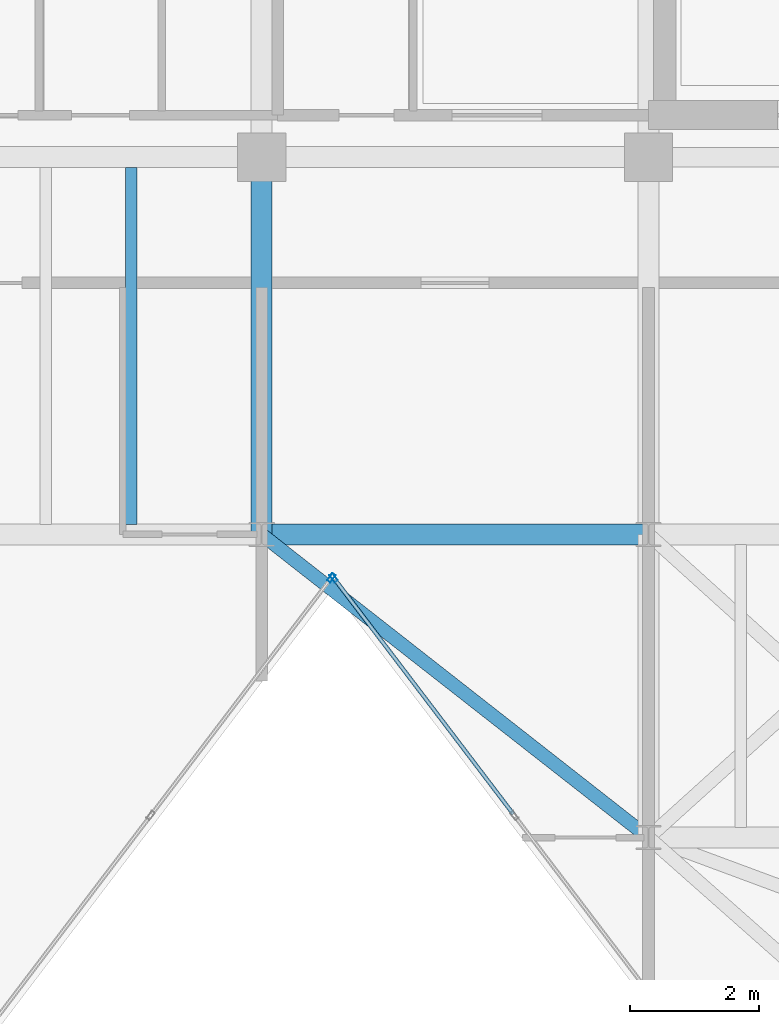
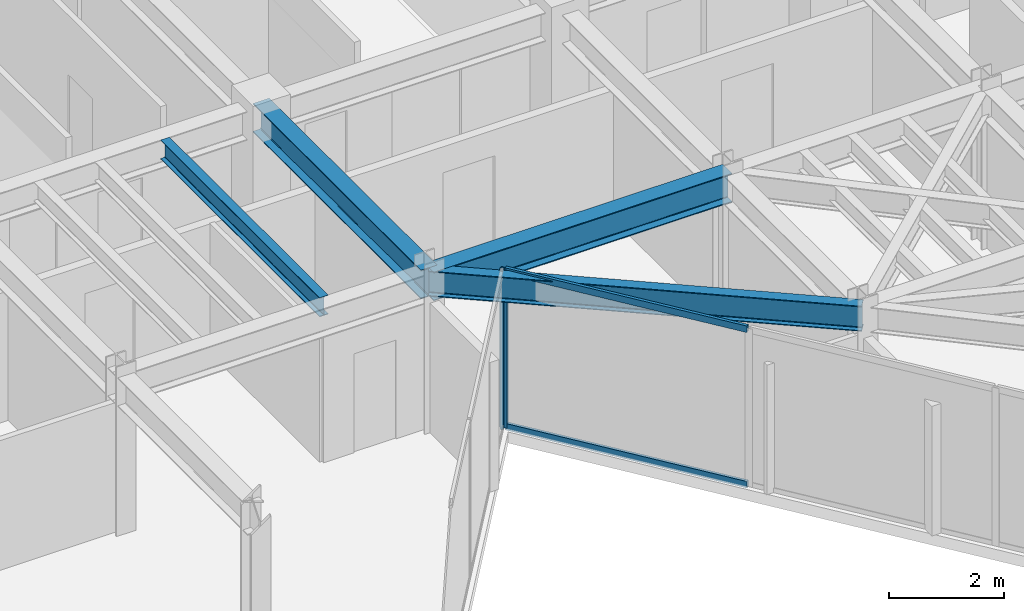
# One storey, part 6 of 16: 4 beams, 4 members, 2 elements without a shape of their own.
"""IFC4 building model written with IfcOpenShell, lengths in metres."""

from ifc_helpers import new_model, si_unit, direction, frame, origin, origin_2d, place, context, subcontext, project, spatial, hollow_rectangle, i_section, extrude, material, layer, layer_set, material_profile, profile_set, type_object, element, aggregate, save


model = new_model("IFC4")

# Units and contexts
model_context = context("Model", 3, precision=1e-05, world=origin(), true_north=direction((0.0, 1.0)))
body_context = subcontext(model_context, "Body", "Model", "MODEL_VIEW")
ifc_project = project(units=[si_unit("LENGTHUNIT", "METRE"), si_unit("AREAUNIT", "SQUARE_METRE"), si_unit("VOLUMEUNIT", "CUBIC_METRE"), si_unit("PLANEANGLEUNIT", "RADIAN"), si_unit("MASSUNIT", "GRAM", prefix="KILO")], contexts=[model_context])

# Site, building, storey
site_placement = place(None, origin())
site = spatial("IfcSite", under=ifc_project, at=site_placement, CompositionType="ELEMENT")
building_placement = place(site_placement, origin())
building = spatial("IfcBuilding", under=site, at=building_placement, Name="Kravanh Interchange Tower", CompositionType="ELEMENT")
storey_placement = place(building_placement, frame((0.0, 0.0, 300.300048828125)))
storey = spatial("IfcBuildingStorey", under=building, at=storey_placement, Name="L74", CompositionType="ELEMENT", Elevation=300.300048828125)

# Curtain wall, member
ifc_material_1 = material(Name="Anodised Bronze Aluminium", Category="aluminium")
ifc_layer = layer(ifc_material_1, 0.179931640625)
ifc_layer_set = layer_set([ifc_layer], Name="Unitised Curtain Wall System CW-HTL Luxury Hotel")
curtain_wall_type = type_object("IfcCurtainWallType", Name="Unitised Curtain Wall System CW-HTL Luxury Hotel", PredefinedType="NOTDEFINED", material=ifc_layer_set)
curtain_wall_1_placement = place(storey_placement, origin())
curtain_wall_1 = element("IfcCurtainWall", 1, at=curtain_wall_1_placement, inside=storey, type_object=curtain_wall_type, Name="L74 Unitised Curtain Wall CW-L74-04", PredefinedType="NOTDEFINED")
ifc_material_2 = material(Name="Anodised Bronze Aluminium", Category="aluminium")
ifc_material_profile_1 = material_profile(ifc_material_2, hollow_rectangle(XDim=0.06005859375, YDim=0.139892578125, WallThickness=0.00390625, at=origin_2d()), Name="ALU60X140X4")
ifc_profile_set_1 = profile_set([ifc_material_profile_1], Name="Anodised Bronze Aluminium")
member_type_1 = type_object("IfcMemberType", Name="Curtain Wall Mullion ALU60X140X4 Bronze", PredefinedType="MULLION", material=ifc_profile_set_1)
member_1_placement = place(storey_placement, frame((45.918212890625, 30.826904296875, 0.0), z_axis=(0.0, 0.0, 1.0), x_axis=(-0.796161642797, -0.605083992962, 0.0)))
member_1 = element("IfcMember", 2, at=member_1_placement, type_object=member_type_1, Name="CW-HTL mullion 4", PredefinedType="MULLION", context=body_context, shape_type="SweptSolid", body=[
    extrude(hollow_rectangle(XDim=0.06005859375, YDim=0.139892578125, WallThickness=0.00390625, at=origin_2d()), origin(), (0.0, 0.0, 1.0), 3.364990234375),
])

curtain_wall_2_placement = place(storey_placement, origin())
curtain_wall_2 = element("IfcCurtainWall", 3, at=curtain_wall_2_placement, inside=storey, type_object=curtain_wall_type, Name="L74 Unitised Curtain Wall CW-L74-05", PredefinedType="NOTDEFINED")
member_2_placement = place(storey_placement, frame((45.8818359375, 30.826904296875, 0.0), z_axis=(0.0, 0.0, 1.0), x_axis=(0.796161642797, -0.605083992962, 0.0)))
member_2 = element("IfcMember", 4, at=member_2_placement, type_object=member_type_1, Name="CW-HTL mullion 1", PredefinedType="MULLION", context=body_context, shape_type="SweptSolid", body=[
    extrude(hollow_rectangle(XDim=0.06005859375, YDim=0.139892578125, WallThickness=0.00390625, at=origin_2d()), origin(), (0.0, 0.0, 1.0), 3.364990234375),
])
aggregate(curtain_wall_2, [member_2])

# Member
ifc_material_3 = material(Name="Anodised Bronze Aluminium", Category="aluminium")
ifc_material_profile_2 = material_profile(ifc_material_3, hollow_rectangle(XDim=0.06005859375, YDim=0.139892578125, WallThickness=0.00390625, at=origin_2d()), Name="ALU60X140X4")
ifc_profile_set_2 = profile_set([ifc_material_profile_2], Name="Anodised Bronze Aluminium")
member_type_2 = type_object("IfcMemberType", Name="Curtain Wall Transom ALU60X140X4 Bronze", PredefinedType="USERDEFINED", material=ifc_profile_set_2)
member_3_placement = place(storey_placement, frame((48.70166015625, 27.16455078125, 0.030029296875), z_axis=(-0.605081913085, 0.796163223502, 0.0), x_axis=(-0.796163223502, -0.605081913085, 0.0)))
member_3 = element("IfcMember", 5, at=member_3_placement, type_object=member_type_2, Name="CW-HTL transom 3.1", ObjectType="TRANSOM", PredefinedType="USERDEFINED", context=body_context, shape_type="SweptSolid", body=[
    extrude(hollow_rectangle(XDim=0.06005859375, YDim=0.139892578125, WallThickness=0.00390625, at=origin_2d()), origin(), (0.0, 0.0, 1.0), 4.5703125),
])

member_4_placement = place(storey_placement, frame((48.70166015625, 27.16455078125, 3.3349609375), z_axis=(-0.605081913085, 0.796163223502, 0.0), x_axis=(-0.796163223502, -0.605081913085, 0.0)))
member_4 = element("IfcMember", 6, at=member_4_placement, type_object=member_type_2, Name="CW-HTL transom 3.2", ObjectType="TRANSOM", PredefinedType="USERDEFINED", context=body_context, shape_type="SweptSolid", body=[
    extrude(hollow_rectangle(XDim=0.06005859375, YDim=0.139892578125, WallThickness=0.00390625, at=origin_2d()), origin(), (0.0, 0.0, 1.0), 4.5703125),
])

aggregate(curtain_wall_1, [member_1, member_3, member_4])

# Beams
ifc_material_4 = material(Name="Structural Steel S355", Category="steel")
ifc_material_profile_3 = material_profile(ifc_material_4, i_section(OverallWidth=0.323974609375, OverallDepth=0.611083984375, WebThickness=0.0126953125, FlangeThickness=0.01904296875, FilletRadius=0.02197265625, at=origin_2d()), Name="W24X104")
ifc_profile_set_3 = profile_set([ifc_material_profile_3], Name="Structural Steel S355")
beam_type_1 = type_object("IfcBeamType", Name="Floor Beam W24X104 Structural Steel S355", PredefinedType="BEAM", material=ifc_profile_set_3)
beam_1_placement = place(storey_placement, frame((44.800048828125, 31.5, 3.0595703125), z_axis=(0.0, 1.0, 0.0), x_axis=(-1.0, 0.0, 0.0)))
element("IfcBeam", 7, at=beam_1_placement, inside=storey, type_object=beam_type_1, Name="L74 Primary Floor Girder 1", PredefinedType="BEAM", context=body_context, shape_type="SweptSolid", body=[
    extrude(i_section(OverallWidth=0.323974609375, OverallDepth=0.611083984375, WebThickness=0.0126953125, FlangeThickness=0.01904296875, FilletRadius=0.02197265625, at=origin_2d()), origin(), (0.0, 0.0, 1.0), 5.85009765625),
])
beam_2_placement = place(storey_placement, frame((44.800048828125, 31.5, 3.0595703125), z_axis=(1.0, 0.0, 0.0), x_axis=(0.0, 1.0, 0.0)))
element("IfcBeam", 8, at=beam_2_placement, inside=storey, type_object=beam_type_1, Name="L74 Primary Floor Girder 2", PredefinedType="BEAM", context=body_context, shape_type="SweptSolid", body=[
    extrude(i_section(OverallWidth=0.323974609375, OverallDepth=0.611083984375, WebThickness=0.0126953125, FlangeThickness=0.01904296875, FilletRadius=0.02197265625, at=origin_2d()), origin(), (0.0, 0.0, 1.0), 6.0),
])
ifc_material_5 = material(Name="Structural Steel S355", Category="steel")
ifc_material_profile_4 = material_profile(ifc_material_5, i_section(OverallWidth=0.177978515625, OverallDepth=0.406005859375, WebThickness=0.0078125, FlangeThickness=0.0126953125, FilletRadius=0.01611328125, at=origin_2d()), Name="W16X40")
ifc_profile_set_4 = profile_set([ifc_material_profile_4], Name="Structural Steel S355")
beam_type_2 = type_object("IfcBeamType", Name="Floor Joist W16X40 Structural Steel S355", PredefinedType="JOIST", material=ifc_profile_set_4)
beam_3_placement = place(storey_placement, frame((42.778076171875, 31.656982421875, 3.161865234375), z_axis=(0.0, 1.0, 0.0), x_axis=(-1.0, 0.0, 0.0)))
element("IfcBeam", 9, at=beam_3_placement, inside=storey, type_object=beam_type_2, Name="L74 Secondary Floor Joist 12", PredefinedType="JOIST", context=body_context, shape_type="SweptSolid", body=[
    extrude(i_section(OverallWidth=0.177978515625, OverallDepth=0.406005859375, WebThickness=0.0078125, FlangeThickness=0.0126953125, FilletRadius=0.01611328125, at=origin_2d()), origin(), (0.0, 0.0, 1.0), 5.5361328125),
])
ifc_material_6 = material(Name="Structural Steel S355", Category="steel")
ifc_material_profile_5 = material_profile(ifc_material_6, i_section(OverallWidth=0.2099609375, OverallDepth=0.537109375, WebThickness=0.010986328125, FlangeThickness=0.017333984375, FilletRadius=0.02001953125, at=origin_2d()), Name="W21X68")
ifc_profile_set_5 = profile_set([ifc_material_profile_5], Name="Structural Steel S355")
beam_type_3 = type_object("IfcBeamType", Name="Floor Spandrel W21X68 Structural Steel S355", PredefinedType="SPANDREL", material=ifc_profile_set_5)
beam_4_placement = place(storey_placement, frame((44.800048828125, 31.5, 3.096435546875), z_axis=(0.787231163579, -0.616658004967, 0.0), x_axis=(0.616658004967, 0.787231163579, 0.0)))
element("IfcBeam", 10, at=beam_4_placement, inside=storey, type_object=beam_type_3, Name="L74 Perimeter Spandrel 4", PredefinedType="SPANDREL", context=body_context, shape_type="SweptSolid", body=[
    extrude(i_section(OverallWidth=0.2099609375, OverallDepth=0.537109375, WebThickness=0.010986328125, FlangeThickness=0.017333984375, FilletRadius=0.02001953125, at=origin_2d()), origin(), (0.0, 0.0, 1.0), 7.62158203125),
])

save(model, "model.ifc")
